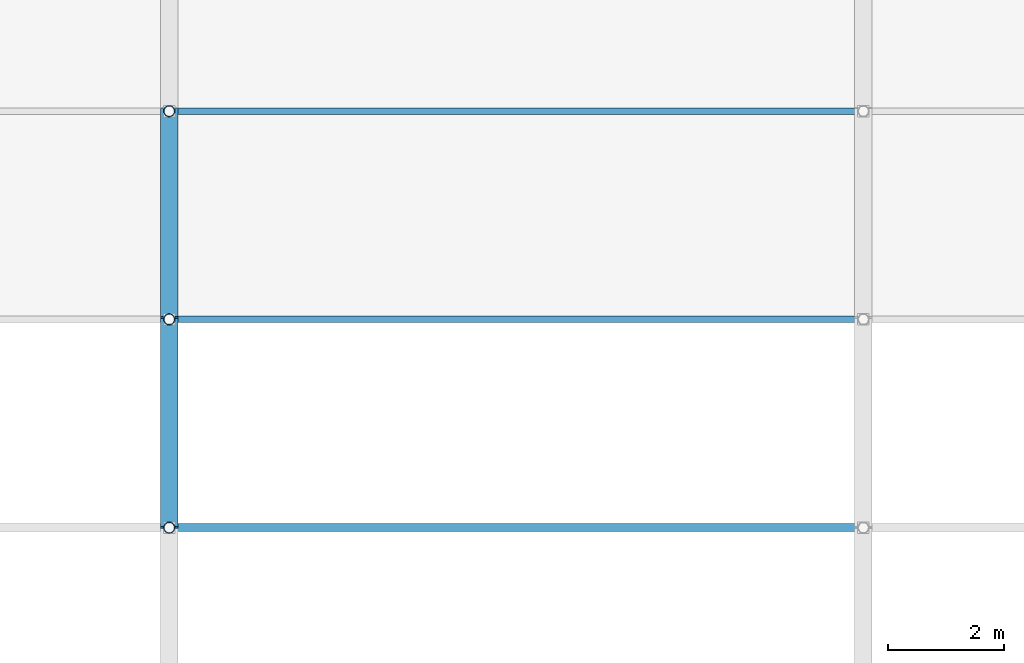
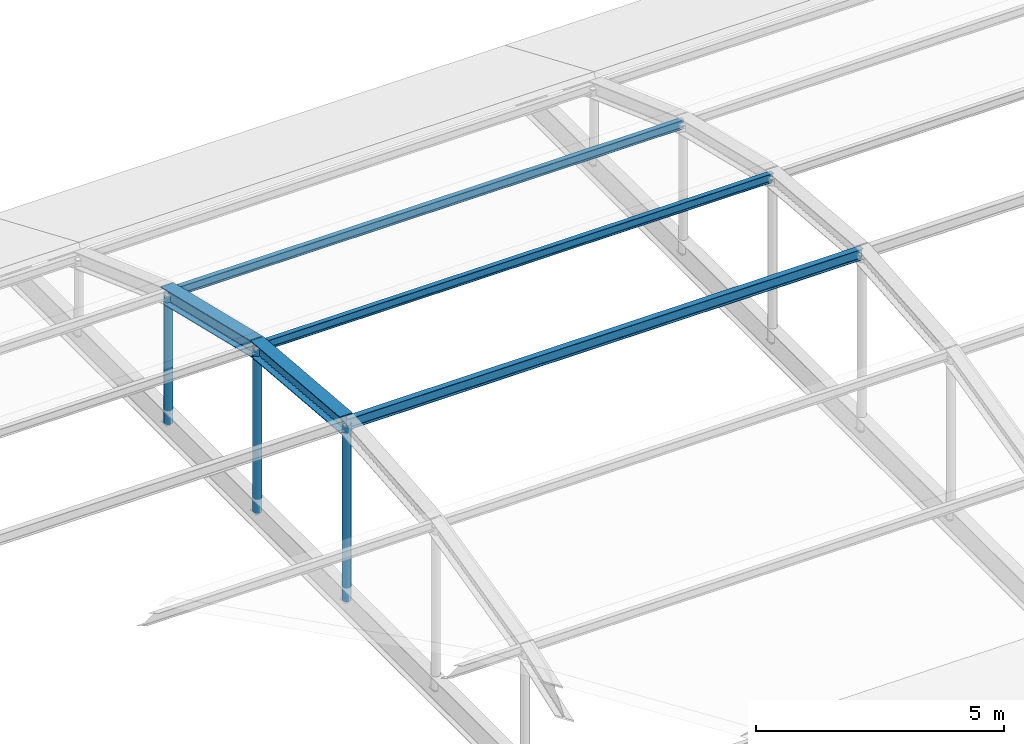
# One storey, part 179 of 239: 6 members, 2 beams.
"""IFC4 building model written with IfcOpenShell, lengths in metres."""

from ifc_helpers import new_model, si_unit, direction, frame, origin, origin_2d, place, context, subcontext, project, spatial, hollow_circle, i_section, extrude, material, material_profile, profile_set, type_object, element, save


model = new_model("IFC4")

# Units and contexts
model_context = context("Model", 3, precision=1e-05, world=origin(), true_north=direction((0.0, 1.0)))
body_context = subcontext(model_context, "Body", "Model", "MODEL_VIEW")
ifc_project = project(units=[si_unit("LENGTHUNIT", "METRE"), si_unit("AREAUNIT", "SQUARE_METRE"), si_unit("VOLUMEUNIT", "CUBIC_METRE"), si_unit("PLANEANGLEUNIT", "RADIAN"), si_unit("MASSUNIT", "GRAM", prefix="KILO")], contexts=[model_context])

# Site, building, storey
site_placement = place(None, origin())
site = spatial("IfcSite", under=ifc_project, at=site_placement, CompositionType="ELEMENT")
building_placement = place(site_placement, origin())
building = spatial("IfcBuilding", under=site, at=building_placement, Name="Dunvalen Ferry Terminal", CompositionType="ELEMENT")
storey_placement = place(building_placement, frame((0.0, 0.0, 9.840087890625)))
storey = spatial("IfcBuildingStorey", under=building, at=storey_placement, Name="L02", CompositionType="ELEMENT", Elevation=9.840087890625)

# Beams
ifc_material = material(Name="Steel S355", Category="steel")
ifc_material_profile_1 = material_profile(ifc_material, i_section(OverallWidth=0.300048828125, OverallDepth=0.389892578125, WebThickness=0.010986328125, FlangeThickness=0.01904296875, FilletRadius=0.027099609375, at=origin_2d()), Name="Steel S355")
ifc_profile_set_1 = profile_set([ifc_material_profile_1], Name="Steel S355")
beam_type = type_object("IfcBeamType", Name="STR-BM-HEA400", PredefinedType="BEAM", material=ifc_profile_set_1)
beam_1_placement = place(storey_placement, frame((144.0, 72.0, 4.0), z_axis=(0.0, 0.996437742755, -0.084331635898), x_axis=(-1.0, 0.0, 0.0)))
element("IfcBeam", 1, at=beam_1_placement, inside=storey, type_object=beam_type, Name="Arrivals Hall Barrel-Vault Arch Rib 04.5", PredefinedType="BEAM", context=body_context, shape_type="SweptSolid", body=[
    extrude(i_section(OverallWidth=0.300048828125, OverallDepth=0.389892578125, WebThickness=0.010986328125, FlangeThickness=0.01904296875, FilletRadius=0.027099609375, at=origin_2d()), origin(), (0.0, 0.0, 1.0), 3.613037109375),
])
beam_2_placement = place(storey_placement, frame((144.0, 75.60009765625, 3.6953125), z_axis=(0.0, 0.972204462661, -0.234133472154), x_axis=(-1.0, 0.0, 0.0)))
element("IfcBeam", 2, at=beam_2_placement, inside=storey, type_object=beam_type, Name="Arrivals Hall Barrel-Vault Arch Rib 04.6", PredefinedType="BEAM", context=body_context, shape_type="SweptSolid", body=[
    extrude(i_section(OverallWidth=0.300048828125, OverallDepth=0.389892578125, WebThickness=0.010986328125, FlangeThickness=0.01904296875, FilletRadius=0.027099609375, at=origin_2d()), origin(), (0.0, 0.0, 1.0), 3.702880859375),
])

# Members
ifc_material_profile_2 = material_profile(ifc_material, hollow_circle(Radius=0.096923828125, WallThickness=0.008056640625, at=origin_2d()), Name="Steel S355")
ifc_profile_set_2 = profile_set([ifc_material_profile_2], Name="Steel S355")
member_type_1 = type_object("IfcMemberType", Name="STR-MB-CHS193", PredefinedType="STRUT", material=ifc_profile_set_2)
member_1_placement = place(storey_placement, frame((144.0, 72.0, -0.340087890625), z_axis=(0.0, 0.0, 1.0), x_axis=(1.0, 0.0, 0.0)))
element("IfcMember", 3, at=member_1_placement, inside=storey, type_object=member_type_1, Name="Arrivals Hall Vault Hanger 04.4", PredefinedType="STRUT", context=body_context, shape_type="SweptSolid", body=[
    extrude(hollow_circle(Radius=0.096923828125, WallThickness=0.008056640625, at=origin_2d()), origin(), (0.0, 0.0, 1.0), 4.340087890625),
])
member_2_placement = place(storey_placement, frame((144.0, 75.60009765625, -0.340087890625), z_axis=(0.0, 0.0, 1.0), x_axis=(1.0, 0.0, 0.0)))
element("IfcMember", 4, at=member_2_placement, inside=storey, type_object=member_type_1, Name="Arrivals Hall Vault Hanger 04.5", PredefinedType="STRUT", context=body_context, shape_type="SweptSolid", body=[
    extrude(hollow_circle(Radius=0.096923828125, WallThickness=0.008056640625, at=origin_2d()), origin(), (0.0, 0.0, 1.0), 4.035400390625),
])
member_3_placement = place(storey_placement, frame((144.0, 79.199951171875, -0.340087890625), z_axis=(0.0, 0.0, 1.0), x_axis=(1.0, 0.0, 0.0)))
element("IfcMember", 5, at=member_3_placement, inside=storey, type_object=member_type_1, Name="Arrivals Hall Vault Hanger 04.6", PredefinedType="STRUT", context=body_context, shape_type="SweptSolid", body=[
    extrude(hollow_circle(Radius=0.096923828125, WallThickness=0.008056640625, at=origin_2d()), origin(), (0.0, 0.0, 1.0), 3.16845703125),
])
ifc_material_profile_3 = material_profile(ifc_material, i_section(OverallWidth=0.110107421875, OverallDepth=0.219970703125, WebThickness=0.005859375, FlangeThickness=0.00927734375, FilletRadius=0.011962890625, at=origin_2d()), Name="Steel S355")
ifc_profile_set_3 = profile_set([ifc_material_profile_3], Name="Steel S355")
member_type_2 = type_object("IfcMemberType", Name="STR-MB-IPE220", PredefinedType="PURLIN", material=ifc_profile_set_3)
for number, where, z_axis, x_axis, name in (
    (6, (144.0, 75.60009765625, 3.6953125), (1.0, 0.0, 0.0), (0.0, 1.0, 0.0), "Arrivals Hall Barrel-Vault Purlin 4.6"),
    (7, (144.0, 79.199951171875, 2.828369140625), (1.0, 0.0, 0.0), (0.0, 1.0, 0.0), "Arrivals Hall Barrel-Vault Purlin 4.7"),
):
    element("IfcMember", number, at=place(storey_placement, frame(where, z_axis=z_axis, x_axis=x_axis)), inside=storey, type_object=member_type_2, Name=name, PredefinedType="PURLIN", context=body_context, shape_type="SweptSolid", body=[
        extrude(i_section(OverallWidth=0.110107421875, OverallDepth=0.219970703125, WebThickness=0.005859375, FlangeThickness=0.00927734375, FilletRadius=0.011962890625, at=origin_2d()), origin(), (0.0, 0.0, 1.0), 12.0),
    ])
ifc_material_profile_4 = material_profile(ifc_material, i_section(OverallWidth=0.135009765625, OverallDepth=0.27001953125, WebThickness=0.006591796875, FlangeThickness=0.01025390625, FilletRadius=0.014892578125, at=origin_2d()), Name="Steel S355")
ifc_profile_set_4 = profile_set([ifc_material_profile_4], Name="Steel S355")
member_type_3 = type_object("IfcMemberType", Name="STR-MB-IPE270", PredefinedType="PURLIN", material=ifc_profile_set_4)
member_4_placement = place(storey_placement, frame((144.0, 72.0, 4.0), z_axis=(1.0, 0.0, 0.0), x_axis=(0.0, 1.0, 0.0)))
element("IfcMember", 8, at=member_4_placement, inside=storey, type_object=member_type_3, Name="Arrivals Hall Barrel-Vault Purlin 4.5", PredefinedType="PURLIN", context=body_context, shape_type="SweptSolid", body=[
    extrude(i_section(OverallWidth=0.135009765625, OverallDepth=0.27001953125, WebThickness=0.006591796875, FlangeThickness=0.01025390625, FilletRadius=0.014892578125, at=origin_2d()), origin(), (0.0, 0.0, 1.0), 12.0),
])

save(model, "model.ifc")
